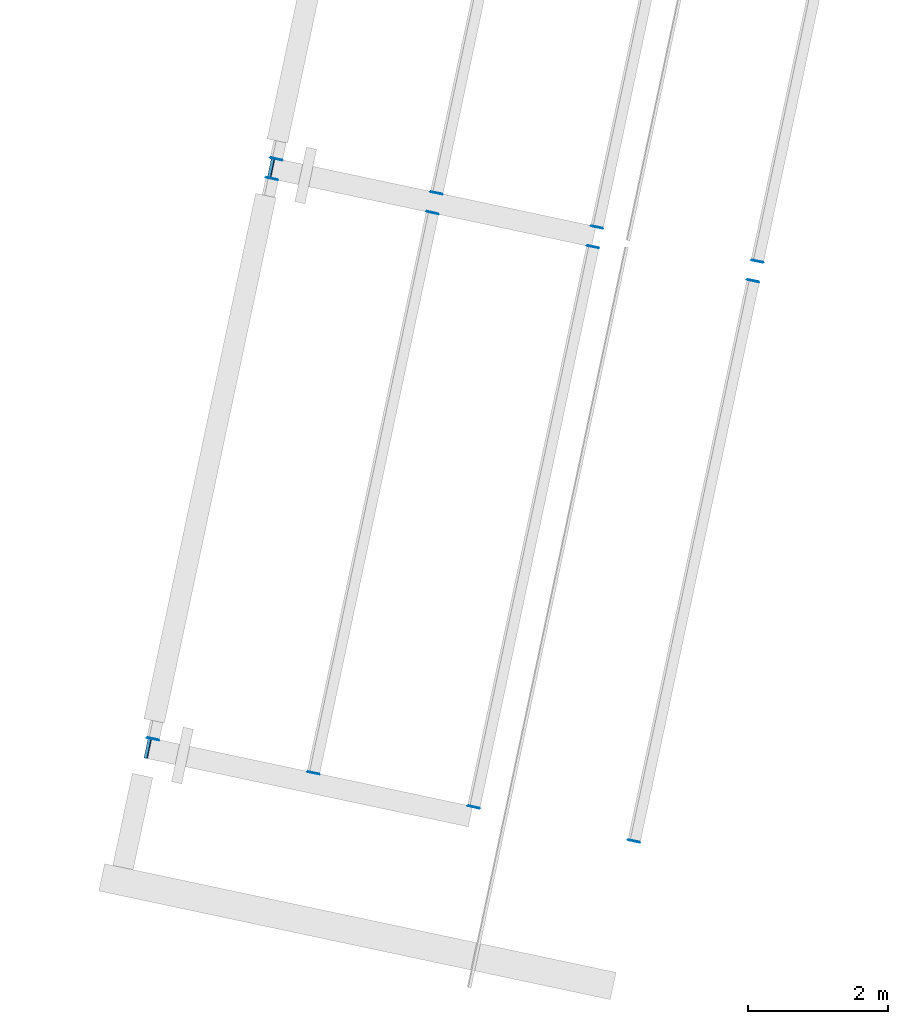
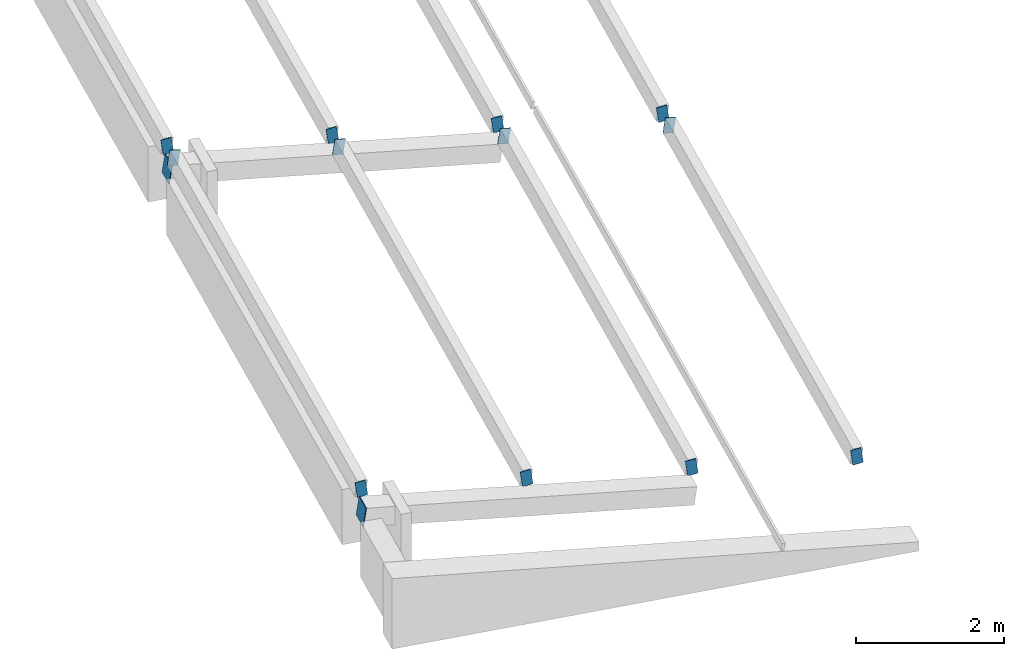
# One storey, part 57 of 69: 14 discrete accessories.
"""IFC4 building model written with IfcOpenShell, lengths in metres."""

from ifc_helpers import new_model, si_unit, direction, frame, origin, origin_2d, place, context, subcontext, project, spatial, rectangle, extrude, material, layer, layer_set, type_object, element, save


model = new_model("IFC4")

# Units and contexts
model_context = context("Model", 3, precision=1e-05, world=origin(), true_north=direction((0.0, 1.0)))
body_context = subcontext(model_context, "Body", "Model", "MODEL_VIEW")
ifc_project = project(units=[si_unit("LENGTHUNIT", "METRE"), si_unit("AREAUNIT", "SQUARE_METRE"), si_unit("VOLUMEUNIT", "CUBIC_METRE"), si_unit("PLANEANGLEUNIT", "RADIAN"), si_unit("MASSUNIT", "GRAM", prefix="KILO")], contexts=[model_context])

# Site, building, storey
site_placement = place(None, origin())
site = spatial("IfcSite", under=ifc_project, at=site_placement, CompositionType="ELEMENT")
building_placement = place(site_placement, origin())
building = spatial("IfcBuilding", under=site, at=building_placement, Name="Okhra Congress Centre", CompositionType="ELEMENT")
storey_placement = place(building_placement, frame((0.0, 0.0, 16.800048828125)))
storey = spatial("IfcBuildingStorey", under=building, at=storey_placement, Name="L03", CompositionType="ELEMENT", Elevation=16.800048828125)

# Discrete accessories
ifc_material = material(Name="Steel S355J2", Category="steel")
ifc_layer = layer(ifc_material, 0.011962890625)
ifc_layer_set = layer_set([ifc_layer], Name="Hollow section end cap 12 mm S355")
discrete_accessory_type = type_object("IfcDiscreteAccessoryType", Name="Hollow section end cap 12 mm S355", PredefinedType="BRACKET", material=ifc_layer_set)
for number, where, z_axis, x_axis, name in (
    (1, (199.94970703125, 95.67431640625, 0.78564453125), (-0.969153265158, 0.201906930241, 0.141334851169), (-0.203954254112, -0.978980419738, 0.0), "Hollow section end cap"),
    (2, (201.717041015625, 103.988525390625, 0.78564453125), (-0.969153265158, 0.201906930241, 0.141334851169), (-0.203954254112, -0.978980419738, 0.0), "Hollow section end cap"),
):
    element("IfcDiscreteAccessory", number, at=place(storey_placement, frame(where, z_axis=z_axis, x_axis=x_axis)), inside=storey, type_object=discrete_accessory_type, Name=name, PredefinedType="BRACKET", context=body_context, shape_type="SweptSolid", body=[
        extrude(rectangle(XDim=0.300048828125, YDim=0.300048828125, at=origin_2d()), origin(), (0.0, 0.0, 1.0), 0.01220703125),
    ])
for number, where, z_axis, x_axis, name in (
    (3, (200.018310546875, 95.81298828125, 1.05810546875), (-0.203954254112, -0.978980419738, 0.0), (0.969453049589, -0.201969385331, 0.13917310096), "Hollow section end cap"),
    (4, (201.72314453125, 103.833740234375, 1.05810546875), (0.203954254112, 0.978980419738, 0.0), (-0.969453049589, 0.201969385331, 0.13917310096), "Hollow section end cap"),
    (5, (202.31689453125, 95.324462890625, 0.727783203125), (-0.203954254112, -0.978980419738, 0.0), (0.969453049589, -0.201969385331, 0.13917310096), "Hollow section end cap"),
    (6, (204.021728515625, 103.34521484375, 0.727783203125), (0.223376156329, 0.974732318528, 0.0), (-0.965246290609, 0.221202274931, 0.13917310096), "Hollow section end cap"),
    (7, (204.61572265625, 94.835693359375, 0.3974609375), (-0.223376156329, -0.974732318528, 0.0), (0.965246290609, -0.221202274931, 0.13917310096), "Hollow section end cap"),
    (8, (206.320556640625, 102.856689453125, 0.3974609375), (0.203954254112, 0.978980419738, 0.0), (-0.969453049589, 0.201969385331, 0.13917310096), "Hollow section end cap"),
    (9, (206.914306640625, 94.34716796875, 0.067138671875), (-0.203954254112, -0.978980419738, 0.0), (0.969453049589, -0.201969385331, 0.13917310096), "Hollow section end cap"),
    (10, (208.619140625, 102.367919921875, 0.067138671875), (0.203954254112, 0.978980419738, 0.0), (-0.969453049589, 0.201969385331, 0.13917310096), "Hollow section end cap"),
    (11, (201.78564453125, 104.127197265625, 1.05810546875), (-0.223376156329, -0.974732318528, 0.0), (0.965246290609, -0.221202274931, 0.13917310096), "Hollow section end cap"),
    (12, (204.084228515625, 103.638671875, 0.727783203125), (-0.203954254112, -0.978980419738, 0.0), (0.969453049589, -0.201969385331, 0.13917310096), "Hollow section end cap"),
    (13, (206.3828125, 103.150146484375, 0.3974609375), (-0.203954254112, -0.978980419738, 0.0), (0.969453049589, -0.201969385331, 0.13917310096), "Hollow section end cap"),
    (14, (208.681396484375, 102.661376953125, 0.067138671875), (-0.203954254112, -0.978980419738, 0.0), (0.969453049589, -0.201969385331, 0.13917310096), "Hollow section end cap"),
):
    element("IfcDiscreteAccessory", number, at=place(storey_placement, frame(where, z_axis=z_axis, x_axis=x_axis)), inside=storey, type_object=discrete_accessory_type, Name=name, PredefinedType="BRACKET", context=body_context, shape_type="SweptSolid", body=[
        extrude(rectangle(XDim=0.14990234375, YDim=0.25, at=origin_2d()), origin(), (0.0, 0.0, 1.0), 0.011962890625),
    ])

save(model, "model.ifc")
